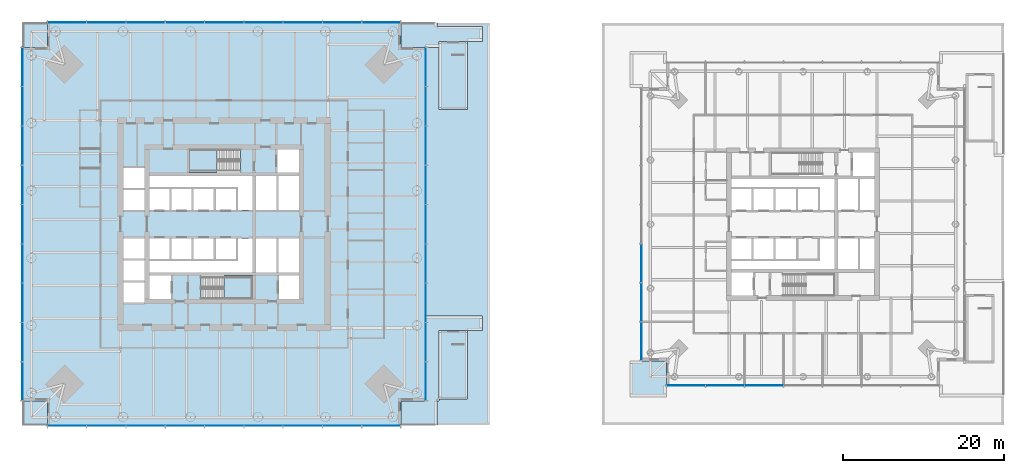
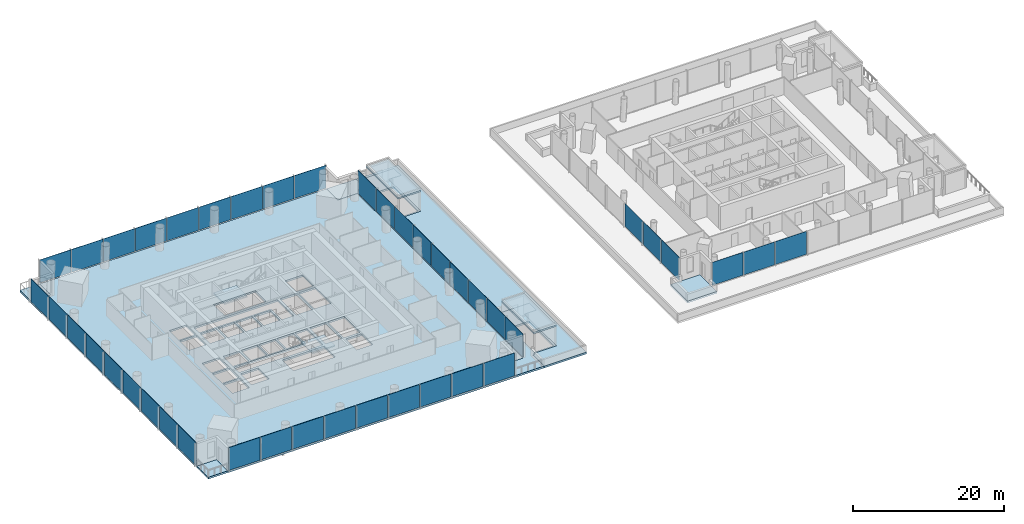
# One storey, part 7 of 19: 42 plates, 11 slabs, 8 elements without a shape of their own.
"""IFC4 building model written with IfcOpenShell, lengths in metres."""

from ifc_helpers import new_model, si_unit, direction, frame, origin, origin_2d, place, context, subcontext, project, spatial, polyline, rectangle, outline, extrude, material, layer, layer_set, type_object, element, aggregate, save


model = new_model("IFC4")

# Units and contexts
model_context = context("Model", 3, precision=1e-05, world=origin(), true_north=direction((0.0, 1.0)))
body_context = subcontext(model_context, "Body", "Model", "MODEL_VIEW")
ifc_project = project(units=[si_unit("LENGTHUNIT", "METRE"), si_unit("AREAUNIT", "SQUARE_METRE"), si_unit("VOLUMEUNIT", "CUBIC_METRE"), si_unit("PLANEANGLEUNIT", "RADIAN"), si_unit("MASSUNIT", "GRAM", prefix="KILO")], contexts=[model_context])

# Site, building, storey
site_placement = place(None, origin())
site = spatial("IfcSite", under=ifc_project, at=site_placement, CompositionType="ELEMENT")
building_placement = place(site_placement, origin())
building = spatial("IfcBuilding", under=site, at=building_placement, Name="Ostroluk Exchange", CompositionType="ELEMENT")
storey_placement = place(building_placement, frame((0.0, 0.0, 21.0)))
storey = spatial("IfcBuildingStorey", under=building, at=storey_placement, Name="L04", CompositionType="ELEMENT", Elevation=21.0)

# Curtain wall, plates
ifc_material_1 = material(Name="Laminated clear glass", Category="glass")
curtain_wall_type_1 = type_object("IfcCurtainWallType", Name="Hotel amenity and plant facade", PredefinedType="USERDEFINED", material=ifc_material_1)
curtain_wall_1_placement = place(storey_placement, origin())
curtain_wall_1 = element("IfcCurtainWall", 1, at=curtain_wall_1_placement, inside=storey, type_object=curtain_wall_type_1, Name="Hotel tower south facade L04", ObjectType="LOUVRED CURTAIN WALL", PredefinedType="USERDEFINED")
ifc_material_2 = material(Name="Laminated clear glass", Category="glass")
ifc_layer_1 = layer(ifc_material_2, 0.035888671875)
ifc_layer_set_1 = layer_set([ifc_layer_1], Name="Double laminated clear glazing 36")
plate_type_1 = type_object("IfcPlateType", Name="Double laminated clear glazing 36", PredefinedType="CURTAIN_PANEL", material=ifc_layer_set_1)
plate_1_placement = place(storey_placement, frame((102.448486328125, 25.925048828125, 0.080078125), z_axis=(0.0, 0.0, 1.0), x_axis=(1.0, 0.0, 0.0)))
plate_1 = element("IfcPlate", 2, at=plate_1_placement, type_object=plate_type_1, Name="CW-H2 panel 1.1", PredefinedType="CURTAIN_PANEL", context=body_context, shape_type="SweptSolid", body=[
    extrude(rectangle(XDim=4.737060546875, YDim=0.035888671875, at=origin_2d()), origin(), (0.0, 0.0, 1.0), 3.719970703125),
])
plate_2_placement = place(storey_placement, frame((107.28564453125, 25.925048828125, 0.080078125), z_axis=(0.0, 0.0, 1.0), x_axis=(1.0, 0.0, 0.0)))
plate_2 = element("IfcPlate", 3, at=plate_2_placement, type_object=plate_type_1, Name="CW-H2 panel 2.1", PredefinedType="CURTAIN_PANEL", context=body_context, shape_type="SweptSolid", body=[
    extrude(rectangle(XDim=4.777099609375, YDim=0.035888671875, at=origin_2d()), origin(), (0.0, 0.0, 1.0), 3.719970703125),
])
plate_3_placement = place(storey_placement, frame((112.142822265625, 25.925048828125, 0.080078125), z_axis=(0.0, 0.0, 1.0), x_axis=(1.0, 0.0, 0.0)))
plate_3 = element("IfcPlate", 4, at=plate_3_placement, type_object=plate_type_1, Name="CW-H2 panel 3.1", PredefinedType="CURTAIN_PANEL", context=body_context, shape_type="SweptSolid", body=[
    extrude(rectangle(XDim=4.777099609375, YDim=0.035888671875, at=origin_2d()), origin(), (0.0, 0.0, 1.0), 3.719970703125),
])
aggregate(curtain_wall_1, [plate_1, plate_2, plate_3])

curtain_wall_2_placement = place(storey_placement, origin())
curtain_wall_2 = element("IfcCurtainWall", 5, at=curtain_wall_2_placement, inside=storey, type_object=curtain_wall_type_1, Name="Hotel tower west facade L04", ObjectType="LOUVRED CURTAIN WALL", PredefinedType="USERDEFINED")
plate_4_placement = place(storey_placement, frame((96.925048828125, 41.142822265625, 0.080078125), z_axis=(0.0, 0.0, 1.0), x_axis=(0.0, -1.0, 0.0)))
plate_4 = element("IfcPlate", 6, at=plate_4_placement, type_object=plate_type_1, Name="CW-H2 panel 5.1", PredefinedType="CURTAIN_PANEL", context=body_context, shape_type="SweptSolid", body=[
    extrude(rectangle(XDim=4.777099609375, YDim=0.035888671875, at=origin_2d()), origin(), (0.0, 0.0, 1.0), 3.719970703125),
])
plate_5_placement = place(storey_placement, frame((96.925048828125, 36.28564453125, 0.080078125), z_axis=(0.0, 0.0, 1.0), x_axis=(0.0, -1.0, 0.0)))
plate_5 = element("IfcPlate", 7, at=plate_5_placement, type_object=plate_type_1, Name="CW-H2 panel 6.1", PredefinedType="CURTAIN_PANEL", context=body_context, shape_type="SweptSolid", body=[
    extrude(rectangle(XDim=4.777099609375, YDim=0.035888671875, at=origin_2d()), origin(), (0.0, 0.0, 1.0), 3.719970703125),
])
plate_6_placement = place(storey_placement, frame((96.925048828125, 31.448486328125, 0.080078125), z_axis=(0.0, 0.0, 1.0), x_axis=(0.0, -1.0, 0.0)))
plate_6 = element("IfcPlate", 8, at=plate_6_placement, type_object=plate_type_1, Name="CW-H2 panel 7.1", PredefinedType="CURTAIN_PANEL", context=body_context, shape_type="SweptSolid", body=[
    extrude(rectangle(XDim=4.737060546875, YDim=0.035888671875, at=origin_2d()), origin(), (0.0, 0.0, 1.0), 3.719970703125),
])
aggregate(curtain_wall_2, [plate_4, plate_5, plate_6])

# Slabs
ifc_material_3 = material(Name="Concrete C35/45", Category="concrete")
ifc_layer_2 = layer(ifc_material_3, 0.300048828125)
ifc_layer_set_2 = layer_set([ifc_layer_2], Name="Extensive green roof slab 300")
slab_type_1 = type_object("IfcSlabType", Name="Extensive green roof slab 300", PredefinedType="ROOF", material=ifc_layer_set_2)
slab_1_placement = place(storey_placement, frame((0.0, 0.0, -0.300048828125)))
element("IfcSlab", 9, at=slab_1_placement, inside=storey, type_object=slab_type_1, Name="Green roof slab L04 west", PredefinedType="ROOF", context=body_context, shape_type="SweptSolid", body=[
    extrude(outline(polyline([(78.0, 71.0), (78.0, 21.0), (71.5, 21.0), (71.5, 24.0), (71.75, 24.0), (71.75, 24.25), (75.25, 24.25), (75.25, 32.75), (77.10009765625, 32.75), (77.10009765625, 34.60009765625), (70.0, 34.60009765625), (70.0, 68.0), (71.75, 68.0), (71.75, 60.25), (75.25, 60.25), (75.25, 68.75), (77.10009765625, 68.75), (77.10009765625, 70.60009765625), (71.5, 70.60009765625), (71.5, 71.0), (78.0, 71.0)])), origin(), (0.0, 0.0, 1.0), 0.300048828125),
])
ifc_material_4 = material(Name="Concrete C35/45", Category="concrete")
ifc_layer_3 = layer(ifc_material_4, 0.300048828125)
ifc_layer_set_3 = layer_set([ifc_layer_3], Name="Podium terrace slab 300")
slab_type_2 = type_object("IfcSlabType", Name="Podium terrace slab 300", PredefinedType="ROOF", material=ifc_layer_set_3)
slab_2_placement = place(storey_placement, frame((0.0, 0.0, -0.300048828125)))
element("IfcSlab", 10, at=slab_2_placement, inside=storey, type_object=slab_type_2, Name="Terrace slab L04 west", PredefinedType="ROOF", context=body_context, shape_type="SweptSolid", body=[
    extrude(outline(polyline([(67.0, 68.0), (67.0, 71.0), (71.5, 71.0), (71.5, 70.60009765625), (77.10009765625, 70.60009765625), (77.10009765625, 68.75), (75.25, 68.75), (75.25, 60.25), (71.75, 60.25), (71.75, 68.0), (67.0, 68.0)]), holes=[polyline([(75.0, 60.5), (75.0, 66.989990234375), (72.0, 66.989990234375), (72.0, 60.5), (75.0, 60.5)])]), origin(), (0.0, 0.0, 1.0), 0.300048828125),
])
slab_3_placement = place(storey_placement, frame((0.0, 0.0, -0.300048828125)))
element("IfcSlab", 11, at=slab_3_placement, inside=storey, type_object=slab_type_2, Name="Terrace slab L04 west", PredefinedType="ROOF", context=body_context, shape_type="SweptSolid", body=[
    extrude(outline(polyline([(67.0, 21.0), (67.0, 24.0), (70.0, 24.0), (70.0, 34.60009765625), (77.10009765625, 34.60009765625), (77.10009765625, 32.75), (75.25, 32.75), (75.25, 24.25), (71.75, 24.25), (71.75, 24.0), (71.5, 24.0), (71.5, 21.0), (67.0, 21.0)]), holes=[polyline([(75.0, 30.989990234375), (72.0, 30.989990234375), (72.0, 24.5), (75.0, 24.5), (75.0, 30.989990234375)])]), origin(), (0.0, 0.0, 1.0), 0.300048828125),
])
slab_4_placement = place(storey_placement, frame((0.0, 0.0, -0.300048828125)))
element("IfcSlab", 12, at=slab_4_placement, inside=storey, type_object=slab_type_2, Name="Terrace slab L04 west", PredefinedType="ROOF", context=body_context, shape_type="SweptSolid", body=[
    extrude(outline(polyline([(23.0, 68.0), (20.0, 68.0), (20.0, 71.0), (23.0, 71.0), (23.0, 68.0)])), origin(), (0.0, 0.0, 1.0), 0.300048828125),
])
slab_5_placement = place(storey_placement, frame((0.0, 0.0, -0.300048828125)))
element("IfcSlab", 13, at=slab_5_placement, inside=storey, type_object=slab_type_2, Name="Terrace slab L04 west", PredefinedType="ROOF", context=body_context, shape_type="SweptSolid", body=[
    extrude(outline(polyline([(23.0, 24.0), (23.0, 21.0), (20.0, 21.0), (20.0, 24.0), (23.0, 24.0)])), origin(), (0.0, 0.0, 1.0), 0.300048828125),
])
slab_6_placement = place(storey_placement, frame((0.0, 0.0, -0.300048828125)))
element("IfcSlab", 14, at=slab_6_placement, inside=storey, type_object=slab_type_2, Name="Terrace slab L04 east", PredefinedType="ROOF", context=body_context, shape_type="SweptSolid", body=[
    extrude(outline(polyline([(100.0, 29.0), (100.0, 24.5), (95.5, 24.5), (95.5, 29.0), (100.0, 29.0)])), origin(), (0.0, 0.0, 1.0), 0.300048828125),
])
ifc_material_5 = material(Name="Concrete C35/45", Category="concrete")
ifc_layer_4 = layer(ifc_material_5, 0.25)
ifc_layer_set_4 = layer_set([ifc_layer_4], Name="Stair head-house roof slab 250")
slab_type_3 = type_object("IfcSlabType", Name="Stair head-house roof slab 250", PredefinedType="ROOF", material=ifc_layer_set_4)
slab_7_placement = place(storey_placement, frame((0.0, 0.0, 3.14990234375)))
element("IfcSlab", 15, at=slab_7_placement, inside=storey, type_object=slab_type_3, Name="Stair PS3 head-house roof", PredefinedType="ROOF", context=body_context, shape_type="SweptSolid", body=[
    extrude(outline(polyline([(71.75, 24.25), (75.25, 24.25), (75.25, 32.75), (71.75, 32.75), (71.75, 24.25)])), origin(), (0.0, 0.0, 1.0), 0.25),
])
slab_8_placement = place(storey_placement, frame((0.0, 0.0, 3.14990234375)))
element("IfcSlab", 16, at=slab_8_placement, inside=storey, type_object=slab_type_3, Name="Stair PS4 head-house roof", PredefinedType="ROOF", context=body_context, shape_type="SweptSolid", body=[
    extrude(outline(polyline([(71.75, 60.25), (75.25, 60.25), (75.25, 68.75), (71.75, 68.75), (71.75, 60.25)])), origin(), (0.0, 0.0, 1.0), 0.25),
])

# Stair, slab
ifc_material_6 = material(Name="Concrete C30/37", Category="concrete")
stair_type = type_object("IfcStairType", Name="Exit stair half turn 3800", PredefinedType="HALF_TURN_STAIR", material=ifc_material_6)
stair_1_placement = place(storey_placement, origin())
stair_1 = element("IfcStair", 17, at=stair_1_placement, inside=storey, type_object=stair_type, Name="Stair T1-S1 L04", PredefinedType="HALF_TURN_STAIR")
ifc_material_7 = material(Name="Concrete C30/37", Category="concrete")
ifc_layer_5 = layer(ifc_material_7, 0.199951171875)
ifc_layer_set_5 = layer_set([ifc_layer_5], Name="Stair landing 200")
slab_type_4 = type_object("IfcSlabType", Name="Stair landing 200", PredefinedType="LANDING", material=ifc_layer_set_5)
slab_9_placement = place(storey_placement, frame((0.0, 0.0, 1.699951171875)))
slab_9 = element("IfcSlab", 18, at=slab_9_placement, type_object=slab_type_4, Name="T1-S1 landing 1", PredefinedType="LANDING", context=body_context, shape_type="SweptSolid", body=[
    extrude(outline(polyline([(45.0, 36.699951171875), (45.0, 39.60009765625), (48.530029296875, 39.60009765625), (48.530029296875, 36.699951171875), (45.0, 36.699951171875)])), origin(), (0.0, 0.0, 1.0), 0.199951171875),
])
aggregate(stair_1, [slab_9])

stair_2_placement = place(storey_placement, origin())
stair_2 = element("IfcStair", 19, at=stair_2_placement, inside=storey, type_object=stair_type, Name="Stair T1-S2 L04", PredefinedType="HALF_TURN_STAIR")
slab_10_placement = place(storey_placement, frame((0.0, 0.0, 1.699951171875)))
slab_10 = element("IfcSlab", 20, at=slab_10_placement, type_object=slab_type_4, Name="T1-S2 landing 1", PredefinedType="LANDING", context=body_context, shape_type="SweptSolid", body=[
    extrude(outline(polyline([(44.1298828125, 52.39990234375), (44.1298828125, 55.300048828125), (40.60009765625, 55.300048828125), (40.60009765625, 52.39990234375), (44.1298828125, 52.39990234375)])), origin(), (0.0, 0.0, 1.0), 0.199951171875),
])
aggregate(stair_2, [slab_10])

# Slab
ifc_material_8 = material(Name="Concrete C35/45", Category="concrete")
ifc_layer_6 = layer(ifc_material_8, 0.300048828125)
ifc_layer_set_6 = layer_set([ifc_layer_6], Name="Tower floor slab 300")
slab_type_5 = type_object("IfcSlabType", Name="Tower floor slab 300", PredefinedType="FLOOR", material=ifc_layer_set_6)
slab_11_placement = place(storey_placement, frame((0.0, 0.0, -0.300048828125)))
element("IfcSlab", 21, at=slab_11_placement, inside=storey, type_object=slab_type_5, Name="Office tower floor slab L04", PredefinedType="FLOOR", context=body_context, shape_type="SweptSolid", body=[
    extrude(outline(polyline([(23.0, 21.0), (67.0, 21.0), (67.0, 24.0), (70.0, 24.0), (70.0, 68.0), (67.0, 68.0), (67.0, 71.0), (23.0, 71.0), (23.0, 68.0), (20.0, 68.0), (20.0, 24.0), (23.0, 24.0), (23.0, 21.0)]), holes=[polyline([(35.699951171875, 36.699951171875), (38.39990234375, 36.699951171875), (38.39990234375, 39.60009765625), (35.699951171875, 39.60009765625), (35.699951171875, 36.699951171875)]), polyline([(42.110107421875, 36.699951171875), (48.530029296875, 36.699951171875), (48.530029296875, 39.60009765625), (42.110107421875, 39.60009765625), (42.110107421875, 36.699951171875)]), polyline([(51.800048828125, 36.699951171875), (54.300048828125, 36.699951171875), (54.300048828125, 39.60009765625), (51.800048828125, 39.60009765625), (51.800048828125, 36.699951171875)]), polyline([(40.60009765625, 52.39990234375), (47.02001953125, 52.39990234375), (47.02001953125, 55.300048828125), (40.60009765625, 55.300048828125), (40.60009765625, 52.39990234375)]), polyline([(51.60009765625, 52.39990234375), (54.300048828125, 52.39990234375), (54.300048828125, 55.300048828125), (51.60009765625, 55.300048828125), (51.60009765625, 52.39990234375)]), polyline([(35.699951171875, 47.75), (38.199951171875, 47.75), (38.199951171875, 50.35009765625), (35.699951171875, 50.35009765625), (35.699951171875, 47.75)]), polyline([(38.449951171875, 47.75), (40.949951171875, 47.75), (40.949951171875, 50.35009765625), (38.449951171875, 50.35009765625), (38.449951171875, 47.75)]), polyline([(41.199951171875, 47.75), (43.699951171875, 47.75), (43.699951171875, 50.35009765625), (41.199951171875, 50.35009765625), (41.199951171875, 47.75)]), polyline([(43.949951171875, 47.75), (46.449951171875, 47.75), (46.449951171875, 50.35009765625), (43.949951171875, 50.35009765625), (43.949951171875, 47.75)]), polyline([(35.699951171875, 41.64990234375), (38.199951171875, 41.64990234375), (38.199951171875, 44.25), (35.699951171875, 44.25), (35.699951171875, 41.64990234375)]), polyline([(38.449951171875, 41.64990234375), (40.949951171875, 41.64990234375), (40.949951171875, 44.25), (38.449951171875, 44.25), (38.449951171875, 41.64990234375)]), polyline([(41.199951171875, 41.64990234375), (43.699951171875, 41.64990234375), (43.699951171875, 44.25), (41.199951171875, 44.25), (41.199951171875, 41.64990234375)]), polyline([(43.949951171875, 41.64990234375), (46.449951171875, 41.64990234375), (46.449951171875, 44.25), (43.949951171875, 44.25), (43.949951171875, 41.64990234375)]), polyline([(48.929931640625, 47.75), (51.489990234375, 47.75), (51.489990234375, 52.0), (48.929931640625, 52.0), (48.929931640625, 47.75)]), polyline([(51.739990234375, 47.75), (54.300048828125, 47.75), (54.300048828125, 52.0), (51.739990234375, 52.0), (51.739990234375, 47.75)]), polyline([(48.929931640625, 40.0), (51.489990234375, 40.0), (51.489990234375, 44.25), (48.929931640625, 44.25), (48.929931640625, 40.0)]), polyline([(51.739990234375, 40.0), (54.300048828125, 40.0), (54.300048828125, 44.25), (51.739990234375, 44.25), (51.739990234375, 40.0)]), polyline([(48.530029296875, 52.0), (48.530029296875, 47.75), (46.699951171875, 47.75), (46.699951171875, 50.60009765625), (35.699951171875, 50.60009765625), (35.699951171875, 52.0), (48.530029296875, 52.0)]), polyline([(35.699951171875, 40.0), (35.699951171875, 41.39990234375), (46.699951171875, 41.39990234375), (46.699951171875, 44.25), (48.530029296875, 44.25), (48.530029296875, 40.0), (35.699951171875, 40.0)]), polyline([(32.5, 36.25), (35.10009765625, 36.25), (35.10009765625, 38.75), (32.5, 38.75), (32.5, 36.25)]), polyline([(32.5, 39.0), (35.10009765625, 39.0), (35.10009765625, 41.5), (32.5, 41.5), (32.5, 39.0)]), polyline([(32.5, 41.75), (35.10009765625, 41.75), (35.10009765625, 44.25), (32.5, 44.25), (32.5, 41.75)]), polyline([(32.5, 47.75), (35.10009765625, 47.75), (35.10009765625, 50.25), (32.5, 50.25), (32.5, 47.75)]), polyline([(32.5, 50.5), (35.10009765625, 50.5), (35.10009765625, 53.0), (32.5, 53.0), (32.5, 50.5)])]), origin(), (0.0, 0.0, 1.0), 0.300048828125),
])

# Curtain wall, plates
ifc_material_9 = material(Name="Laminated clear glass", Category="glass")
curtain_wall_type_2 = type_object("IfcCurtainWallType", Name="Office tower facade", PredefinedType="USERDEFINED", material=ifc_material_9)
curtain_wall_3_placement = place(storey_placement, origin())
curtain_wall_3 = element("IfcCurtainWall", 22, at=curtain_wall_3_placement, inside=storey, type_object=curtain_wall_type_2, Name="Office tower south facade L04", ObjectType="UNITISED CURTAIN WALL", PredefinedType="USERDEFINED")
ifc_material_10 = material(Name="Laminated clear glass", Category="glass")
ifc_layer_7 = layer(ifc_material_10, 0.0439453125)
ifc_layer_set_7 = layer_set([ifc_layer_7], Name="Triple laminated clear glazing 44")
plate_type_2 = type_object("IfcPlateType", Name="Triple laminated clear glazing 44", PredefinedType="CURTAIN_PANEL", material=ifc_layer_set_7)
plate_7_placement = place(storey_placement, frame((25.46435546875, 20.925048828125, 0.080078125), z_axis=(0.0, 0.0, 1.0), x_axis=(1.0, 0.0, 0.0)))
plate_7 = element("IfcPlate", 23, at=plate_7_placement, type_object=plate_type_2, Name="CW-O1 panel 1.1", PredefinedType="CURTAIN_PANEL", context=body_context, shape_type="SweptSolid", body=[
    extrude(rectangle(XDim=4.768798828125, YDim=0.0439453125, at=origin_2d()), origin(), (0.0, 0.0, 1.0), 3.719970703125),
])
plate_8_placement = place(storey_placement, frame((30.333251953125, 20.925048828125, 0.080078125), z_axis=(0.0, 0.0, 1.0), x_axis=(1.0, 0.0, 0.0)))
plate_8 = element("IfcPlate", 24, at=plate_8_placement, type_object=plate_type_2, Name="CW-O1 panel 2.1", PredefinedType="CURTAIN_PANEL", context=body_context, shape_type="SweptSolid", body=[
    extrude(rectangle(XDim=4.808837890625, YDim=0.0439453125, at=origin_2d()), origin(), (0.0, 0.0, 1.0), 3.719970703125),
])
plate_9_placement = place(storey_placement, frame((35.22216796875, 20.925048828125, 0.080078125), z_axis=(0.0, 0.0, 1.0), x_axis=(1.0, 0.0, 0.0)))
plate_9 = element("IfcPlate", 25, at=plate_9_placement, type_object=plate_type_2, Name="CW-O1 panel 3.1", PredefinedType="CURTAIN_PANEL", context=body_context, shape_type="SweptSolid", body=[
    extrude(rectangle(XDim=4.808837890625, YDim=0.0439453125, at=origin_2d()), origin(), (0.0, 0.0, 1.0), 3.719970703125),
])
plate_10_placement = place(storey_placement, frame((40.111083984375, 20.925048828125, 0.080078125), z_axis=(0.0, 0.0, 1.0), x_axis=(1.0, 0.0, 0.0)))
plate_10 = element("IfcPlate", 26, at=plate_10_placement, type_object=plate_type_2, Name="CW-O1 panel 4.1", PredefinedType="CURTAIN_PANEL", context=body_context, shape_type="SweptSolid", body=[
    extrude(rectangle(XDim=4.808837890625, YDim=0.0439453125, at=origin_2d()), origin(), (0.0, 0.0, 1.0), 3.719970703125),
])
plate_11_placement = place(storey_placement, frame((45.0, 20.925048828125, 0.080078125), z_axis=(0.0, 0.0, 1.0), x_axis=(1.0, 0.0, 0.0)))
plate_11 = element("IfcPlate", 27, at=plate_11_placement, type_object=plate_type_2, Name="CW-O1 panel 5.1", PredefinedType="CURTAIN_PANEL", context=body_context, shape_type="SweptSolid", body=[
    extrude(rectangle(XDim=4.808837890625, YDim=0.0439453125, at=origin_2d()), origin(), (0.0, 0.0, 1.0), 3.719970703125),
])
plate_12_placement = place(storey_placement, frame((49.888916015625, 20.925048828125, 0.080078125), z_axis=(0.0, 0.0, 1.0), x_axis=(1.0, 0.0, 0.0)))
plate_12 = element("IfcPlate", 28, at=plate_12_placement, type_object=plate_type_2, Name="CW-O1 panel 6.1", PredefinedType="CURTAIN_PANEL", context=body_context, shape_type="SweptSolid", body=[
    extrude(rectangle(XDim=4.808837890625, YDim=0.0439453125, at=origin_2d()), origin(), (0.0, 0.0, 1.0), 3.719970703125),
])
plate_13_placement = place(storey_placement, frame((54.77783203125, 20.925048828125, 0.080078125), z_axis=(0.0, 0.0, 1.0), x_axis=(1.0, 0.0, 0.0)))
plate_13 = element("IfcPlate", 29, at=plate_13_placement, type_object=plate_type_2, Name="CW-O1 panel 7.1", PredefinedType="CURTAIN_PANEL", context=body_context, shape_type="SweptSolid", body=[
    extrude(rectangle(XDim=4.808837890625, YDim=0.0439453125, at=origin_2d()), origin(), (0.0, 0.0, 1.0), 3.719970703125),
])
plate_14_placement = place(storey_placement, frame((59.666748046875, 20.925048828125, 0.080078125), z_axis=(0.0, 0.0, 1.0), x_axis=(1.0, 0.0, 0.0)))
plate_14 = element("IfcPlate", 30, at=plate_14_placement, type_object=plate_type_2, Name="CW-O1 panel 8.1", PredefinedType="CURTAIN_PANEL", context=body_context, shape_type="SweptSolid", body=[
    extrude(rectangle(XDim=4.808837890625, YDim=0.0439453125, at=origin_2d()), origin(), (0.0, 0.0, 1.0), 3.719970703125),
])
plate_15_placement = place(storey_placement, frame((64.53564453125, 20.925048828125, 0.080078125), z_axis=(0.0, 0.0, 1.0), x_axis=(1.0, 0.0, 0.0)))
plate_15 = element("IfcPlate", 31, at=plate_15_placement, type_object=plate_type_2, Name="CW-O1 panel 9.1", PredefinedType="CURTAIN_PANEL", context=body_context, shape_type="SweptSolid", body=[
    extrude(rectangle(XDim=4.768798828125, YDim=0.0439453125, at=origin_2d()), origin(), (0.0, 0.0, 1.0), 3.719970703125),
])
aggregate(curtain_wall_3, [plate_7, plate_8, plate_9, plate_10, plate_11, plate_12, plate_13, plate_14, plate_15])

curtain_wall_4_placement = place(storey_placement, origin())
curtain_wall_4 = element("IfcCurtainWall", 32, at=curtain_wall_4_placement, inside=storey, type_object=curtain_wall_type_2, Name="Office tower east facade L04", ObjectType="UNITISED CURTAIN WALL", PredefinedType="USERDEFINED")
plate_16_placement = place(storey_placement, frame((70.074951171875, 26.46435546875, 0.080078125), z_axis=(0.0, 0.0, 1.0), x_axis=(0.0, 1.0, 0.0)))
plate_16 = element("IfcPlate", 33, at=plate_16_placement, type_object=plate_type_2, Name="CW-O1 panel 1.1", PredefinedType="CURTAIN_PANEL", context=body_context, shape_type="SweptSolid", body=[
    extrude(rectangle(XDim=4.768798828125, YDim=0.0439453125, at=origin_2d()), origin(), (0.0, 0.0, 1.0), 3.719970703125),
])
plate_17_placement = place(storey_placement, frame((70.074951171875, 31.333251953125, 0.080078125), z_axis=(0.0, 0.0, 1.0), x_axis=(0.0, 1.0, 0.0)))
plate_17 = element("IfcPlate", 34, at=plate_17_placement, type_object=plate_type_2, Name="CW-O1 panel 2.1", PredefinedType="CURTAIN_PANEL", context=body_context, shape_type="SweptSolid", body=[
    extrude(rectangle(XDim=4.808837890625, YDim=0.0439453125, at=origin_2d()), origin(), (0.0, 0.0, 1.0), 3.719970703125),
])
plate_18_placement = place(storey_placement, frame((70.074951171875, 36.22216796875, 0.080078125), z_axis=(0.0, 0.0, 1.0), x_axis=(0.0, 1.0, 0.0)))
plate_18 = element("IfcPlate", 35, at=plate_18_placement, type_object=plate_type_2, Name="CW-O1 panel 3.1", PredefinedType="CURTAIN_PANEL", context=body_context, shape_type="SweptSolid", body=[
    extrude(rectangle(XDim=4.808837890625, YDim=0.0439453125, at=origin_2d()), origin(), (0.0, 0.0, 1.0), 3.719970703125),
])
plate_19_placement = place(storey_placement, frame((70.074951171875, 41.111083984375, 0.080078125), z_axis=(0.0, 0.0, 1.0), x_axis=(0.0, 1.0, 0.0)))
plate_19 = element("IfcPlate", 36, at=plate_19_placement, type_object=plate_type_2, Name="CW-O1 panel 4.1", PredefinedType="CURTAIN_PANEL", context=body_context, shape_type="SweptSolid", body=[
    extrude(rectangle(XDim=4.808837890625, YDim=0.0439453125, at=origin_2d()), origin(), (0.0, 0.0, 1.0), 3.719970703125),
])
plate_20_placement = place(storey_placement, frame((70.074951171875, 46.0, 0.080078125), z_axis=(0.0, 0.0, 1.0), x_axis=(0.0, 1.0, 0.0)))
plate_20 = element("IfcPlate", 37, at=plate_20_placement, type_object=plate_type_2, Name="CW-O1 panel 5.1", PredefinedType="CURTAIN_PANEL", context=body_context, shape_type="SweptSolid", body=[
    extrude(rectangle(XDim=4.808837890625, YDim=0.0439453125, at=origin_2d()), origin(), (0.0, 0.0, 1.0), 3.719970703125),
])
plate_21_placement = place(storey_placement, frame((70.074951171875, 50.888916015625, 0.080078125), z_axis=(0.0, 0.0, 1.0), x_axis=(0.0, 1.0, 0.0)))
plate_21 = element("IfcPlate", 38, at=plate_21_placement, type_object=plate_type_2, Name="CW-O1 panel 6.1", PredefinedType="CURTAIN_PANEL", context=body_context, shape_type="SweptSolid", body=[
    extrude(rectangle(XDim=4.808837890625, YDim=0.0439453125, at=origin_2d()), origin(), (0.0, 0.0, 1.0), 3.719970703125),
])
plate_22_placement = place(storey_placement, frame((70.074951171875, 55.77783203125, 0.080078125), z_axis=(0.0, 0.0, 1.0), x_axis=(0.0, 1.0, 0.0)))
plate_22 = element("IfcPlate", 39, at=plate_22_placement, type_object=plate_type_2, Name="CW-O1 panel 7.1", PredefinedType="CURTAIN_PANEL", context=body_context, shape_type="SweptSolid", body=[
    extrude(rectangle(XDim=4.808837890625, YDim=0.0439453125, at=origin_2d()), origin(), (0.0, 0.0, 1.0), 3.719970703125),
])
plate_23_placement = place(storey_placement, frame((70.074951171875, 60.666748046875, 0.080078125), z_axis=(0.0, 0.0, 1.0), x_axis=(0.0, 1.0, 0.0)))
plate_23 = element("IfcPlate", 40, at=plate_23_placement, type_object=plate_type_2, Name="CW-O1 panel 8.1", PredefinedType="CURTAIN_PANEL", context=body_context, shape_type="SweptSolid", body=[
    extrude(rectangle(XDim=4.808837890625, YDim=0.0439453125, at=origin_2d()), origin(), (0.0, 0.0, 1.0), 3.719970703125),
])
plate_24_placement = place(storey_placement, frame((70.074951171875, 65.53564453125, 0.080078125), z_axis=(0.0, 0.0, 1.0), x_axis=(0.0, 1.0, 0.0)))
plate_24 = element("IfcPlate", 41, at=plate_24_placement, type_object=plate_type_2, Name="CW-O1 panel 9.1", PredefinedType="CURTAIN_PANEL", context=body_context, shape_type="SweptSolid", body=[
    extrude(rectangle(XDim=4.768798828125, YDim=0.0439453125, at=origin_2d()), origin(), (0.0, 0.0, 1.0), 3.719970703125),
])
aggregate(curtain_wall_4, [plate_16, plate_17, plate_18, plate_19, plate_20, plate_21, plate_22, plate_23, plate_24])

curtain_wall_5_placement = place(storey_placement, origin())
curtain_wall_5 = element("IfcCurtainWall", 42, at=curtain_wall_5_placement, inside=storey, type_object=curtain_wall_type_2, Name="Office tower north facade L04", ObjectType="UNITISED CURTAIN WALL", PredefinedType="USERDEFINED")
plate_25_placement = place(storey_placement, frame((64.53564453125, 71.074951171875, 0.080078125), z_axis=(0.0, 0.0, 1.0), x_axis=(-1.0, 0.0, 0.0)))
plate_25 = element("IfcPlate", 43, at=plate_25_placement, type_object=plate_type_2, Name="CW-O1 panel 1.1", PredefinedType="CURTAIN_PANEL", context=body_context, shape_type="SweptSolid", body=[
    extrude(rectangle(XDim=4.768798828125, YDim=0.0439453125, at=origin_2d()), origin(), (0.0, 0.0, 1.0), 3.719970703125),
])
plate_26_placement = place(storey_placement, frame((59.666748046875, 71.074951171875, 0.080078125), z_axis=(0.0, 0.0, 1.0), x_axis=(-1.0, 0.0, 0.0)))
plate_26 = element("IfcPlate", 44, at=plate_26_placement, type_object=plate_type_2, Name="CW-O1 panel 2.1", PredefinedType="CURTAIN_PANEL", context=body_context, shape_type="SweptSolid", body=[
    extrude(rectangle(XDim=4.808837890625, YDim=0.0439453125, at=origin_2d()), origin(), (0.0, 0.0, 1.0), 3.719970703125),
])
plate_27_placement = place(storey_placement, frame((54.77783203125, 71.074951171875, 0.080078125), z_axis=(0.0, 0.0, 1.0), x_axis=(-1.0, 0.0, 0.0)))
plate_27 = element("IfcPlate", 45, at=plate_27_placement, type_object=plate_type_2, Name="CW-O1 panel 3.1", PredefinedType="CURTAIN_PANEL", context=body_context, shape_type="SweptSolid", body=[
    extrude(rectangle(XDim=4.808837890625, YDim=0.0439453125, at=origin_2d()), origin(), (0.0, 0.0, 1.0), 3.719970703125),
])
plate_28_placement = place(storey_placement, frame((49.888916015625, 71.074951171875, 0.080078125), z_axis=(0.0, 0.0, 1.0), x_axis=(-1.0, 0.0, 0.0)))
plate_28 = element("IfcPlate", 46, at=plate_28_placement, type_object=plate_type_2, Name="CW-O1 panel 4.1", PredefinedType="CURTAIN_PANEL", context=body_context, shape_type="SweptSolid", body=[
    extrude(rectangle(XDim=4.808837890625, YDim=0.0439453125, at=origin_2d()), origin(), (0.0, 0.0, 1.0), 3.719970703125),
])
plate_29_placement = place(storey_placement, frame((45.0, 71.074951171875, 0.080078125), z_axis=(0.0, 0.0, 1.0), x_axis=(-1.0, 0.0, 0.0)))
plate_29 = element("IfcPlate", 47, at=plate_29_placement, type_object=plate_type_2, Name="CW-O1 panel 5.1", PredefinedType="CURTAIN_PANEL", context=body_context, shape_type="SweptSolid", body=[
    extrude(rectangle(XDim=4.808837890625, YDim=0.0439453125, at=origin_2d()), origin(), (0.0, 0.0, 1.0), 3.719970703125),
])
plate_30_placement = place(storey_placement, frame((40.111083984375, 71.074951171875, 0.080078125), z_axis=(0.0, 0.0, 1.0), x_axis=(-1.0, 0.0, 0.0)))
plate_30 = element("IfcPlate", 48, at=plate_30_placement, type_object=plate_type_2, Name="CW-O1 panel 6.1", PredefinedType="CURTAIN_PANEL", context=body_context, shape_type="SweptSolid", body=[
    extrude(rectangle(XDim=4.808837890625, YDim=0.0439453125, at=origin_2d()), origin(), (0.0, 0.0, 1.0), 3.719970703125),
])
plate_31_placement = place(storey_placement, frame((35.22216796875, 71.074951171875, 0.080078125), z_axis=(0.0, 0.0, 1.0), x_axis=(-1.0, 0.0, 0.0)))
plate_31 = element("IfcPlate", 49, at=plate_31_placement, type_object=plate_type_2, Name="CW-O1 panel 7.1", PredefinedType="CURTAIN_PANEL", context=body_context, shape_type="SweptSolid", body=[
    extrude(rectangle(XDim=4.808837890625, YDim=0.0439453125, at=origin_2d()), origin(), (0.0, 0.0, 1.0), 3.719970703125),
])
plate_32_placement = place(storey_placement, frame((30.333251953125, 71.074951171875, 0.080078125), z_axis=(0.0, 0.0, 1.0), x_axis=(-1.0, 0.0, 0.0)))
plate_32 = element("IfcPlate", 50, at=plate_32_placement, type_object=plate_type_2, Name="CW-O1 panel 8.1", PredefinedType="CURTAIN_PANEL", context=body_context, shape_type="SweptSolid", body=[
    extrude(rectangle(XDim=4.808837890625, YDim=0.0439453125, at=origin_2d()), origin(), (0.0, 0.0, 1.0), 3.719970703125),
])
plate_33_placement = place(storey_placement, frame((25.46435546875, 71.074951171875, 0.080078125), z_axis=(0.0, 0.0, 1.0), x_axis=(-1.0, 0.0, 0.0)))
plate_33 = element("IfcPlate", 51, at=plate_33_placement, type_object=plate_type_2, Name="CW-O1 panel 9.1", PredefinedType="CURTAIN_PANEL", context=body_context, shape_type="SweptSolid", body=[
    extrude(rectangle(XDim=4.768798828125, YDim=0.0439453125, at=origin_2d()), origin(), (0.0, 0.0, 1.0), 3.719970703125),
])
aggregate(curtain_wall_5, [plate_25, plate_26, plate_27, plate_28, plate_29, plate_30, plate_31, plate_32, plate_33])

curtain_wall_6_placement = place(storey_placement, origin())
curtain_wall_6 = element("IfcCurtainWall", 52, at=curtain_wall_6_placement, inside=storey, type_object=curtain_wall_type_2, Name="Office tower west facade L04", ObjectType="UNITISED CURTAIN WALL", PredefinedType="USERDEFINED")
plate_34_placement = place(storey_placement, frame((19.925048828125, 65.53564453125, 0.080078125), z_axis=(0.0, 0.0, 1.0), x_axis=(0.0, -1.0, 0.0)))
plate_34 = element("IfcPlate", 53, at=plate_34_placement, type_object=plate_type_2, Name="CW-O1 panel 1.1", PredefinedType="CURTAIN_PANEL", context=body_context, shape_type="SweptSolid", body=[
    extrude(rectangle(XDim=4.768798828125, YDim=0.0439453125, at=origin_2d()), origin(), (0.0, 0.0, 1.0), 3.719970703125),
])
plate_35_placement = place(storey_placement, frame((19.925048828125, 60.666748046875, 0.080078125), z_axis=(0.0, 0.0, 1.0), x_axis=(0.0, -1.0, 0.0)))
plate_35 = element("IfcPlate", 54, at=plate_35_placement, type_object=plate_type_2, Name="CW-O1 panel 2.1", PredefinedType="CURTAIN_PANEL", context=body_context, shape_type="SweptSolid", body=[
    extrude(rectangle(XDim=4.808837890625, YDim=0.0439453125, at=origin_2d()), origin(), (0.0, 0.0, 1.0), 3.719970703125),
])
plate_36_placement = place(storey_placement, frame((19.925048828125, 55.77783203125, 0.080078125), z_axis=(0.0, 0.0, 1.0), x_axis=(0.0, -1.0, 0.0)))
plate_36 = element("IfcPlate", 55, at=plate_36_placement, type_object=plate_type_2, Name="CW-O1 panel 3.1", PredefinedType="CURTAIN_PANEL", context=body_context, shape_type="SweptSolid", body=[
    extrude(rectangle(XDim=4.808837890625, YDim=0.0439453125, at=origin_2d()), origin(), (0.0, 0.0, 1.0), 3.719970703125),
])
plate_37_placement = place(storey_placement, frame((19.925048828125, 50.888916015625, 0.080078125), z_axis=(0.0, 0.0, 1.0), x_axis=(0.0, -1.0, 0.0)))
plate_37 = element("IfcPlate", 56, at=plate_37_placement, type_object=plate_type_2, Name="CW-O1 panel 4.1", PredefinedType="CURTAIN_PANEL", context=body_context, shape_type="SweptSolid", body=[
    extrude(rectangle(XDim=4.808837890625, YDim=0.0439453125, at=origin_2d()), origin(), (0.0, 0.0, 1.0), 3.719970703125),
])
plate_38_placement = place(storey_placement, frame((19.925048828125, 46.0, 0.080078125), z_axis=(0.0, 0.0, 1.0), x_axis=(0.0, -1.0, 0.0)))
plate_38 = element("IfcPlate", 57, at=plate_38_placement, type_object=plate_type_2, Name="CW-O1 panel 5.1", PredefinedType="CURTAIN_PANEL", context=body_context, shape_type="SweptSolid", body=[
    extrude(rectangle(XDim=4.808837890625, YDim=0.0439453125, at=origin_2d()), origin(), (0.0, 0.0, 1.0), 3.719970703125),
])
plate_39_placement = place(storey_placement, frame((19.925048828125, 41.111083984375, 0.080078125), z_axis=(0.0, 0.0, 1.0), x_axis=(0.0, -1.0, 0.0)))
plate_39 = element("IfcPlate", 58, at=plate_39_placement, type_object=plate_type_2, Name="CW-O1 panel 6.1", PredefinedType="CURTAIN_PANEL", context=body_context, shape_type="SweptSolid", body=[
    extrude(rectangle(XDim=4.808837890625, YDim=0.0439453125, at=origin_2d()), origin(), (0.0, 0.0, 1.0), 3.719970703125),
])
plate_40_placement = place(storey_placement, frame((19.925048828125, 36.22216796875, 0.080078125), z_axis=(0.0, 0.0, 1.0), x_axis=(0.0, -1.0, 0.0)))
plate_40 = element("IfcPlate", 59, at=plate_40_placement, type_object=plate_type_2, Name="CW-O1 panel 7.1", PredefinedType="CURTAIN_PANEL", context=body_context, shape_type="SweptSolid", body=[
    extrude(rectangle(XDim=4.808837890625, YDim=0.0439453125, at=origin_2d()), origin(), (0.0, 0.0, 1.0), 3.719970703125),
])
plate_41_placement = place(storey_placement, frame((19.925048828125, 31.333251953125, 0.080078125), z_axis=(0.0, 0.0, 1.0), x_axis=(0.0, -1.0, 0.0)))
plate_41 = element("IfcPlate", 60, at=plate_41_placement, type_object=plate_type_2, Name="CW-O1 panel 8.1", PredefinedType="CURTAIN_PANEL", context=body_context, shape_type="SweptSolid", body=[
    extrude(rectangle(XDim=4.808837890625, YDim=0.0439453125, at=origin_2d()), origin(), (0.0, 0.0, 1.0), 3.719970703125),
])
plate_42_placement = place(storey_placement, frame((19.925048828125, 26.46435546875, 0.080078125), z_axis=(0.0, 0.0, 1.0), x_axis=(0.0, -1.0, 0.0)))
plate_42 = element("IfcPlate", 61, at=plate_42_placement, type_object=plate_type_2, Name="CW-O1 panel 9.1", PredefinedType="CURTAIN_PANEL", context=body_context, shape_type="SweptSolid", body=[
    extrude(rectangle(XDim=4.768798828125, YDim=0.0439453125, at=origin_2d()), origin(), (0.0, 0.0, 1.0), 3.719970703125),
])
aggregate(curtain_wall_6, [plate_34, plate_35, plate_36, plate_37, plate_38, plate_39, plate_40, plate_41, plate_42])

save(model, "model.ifc")
